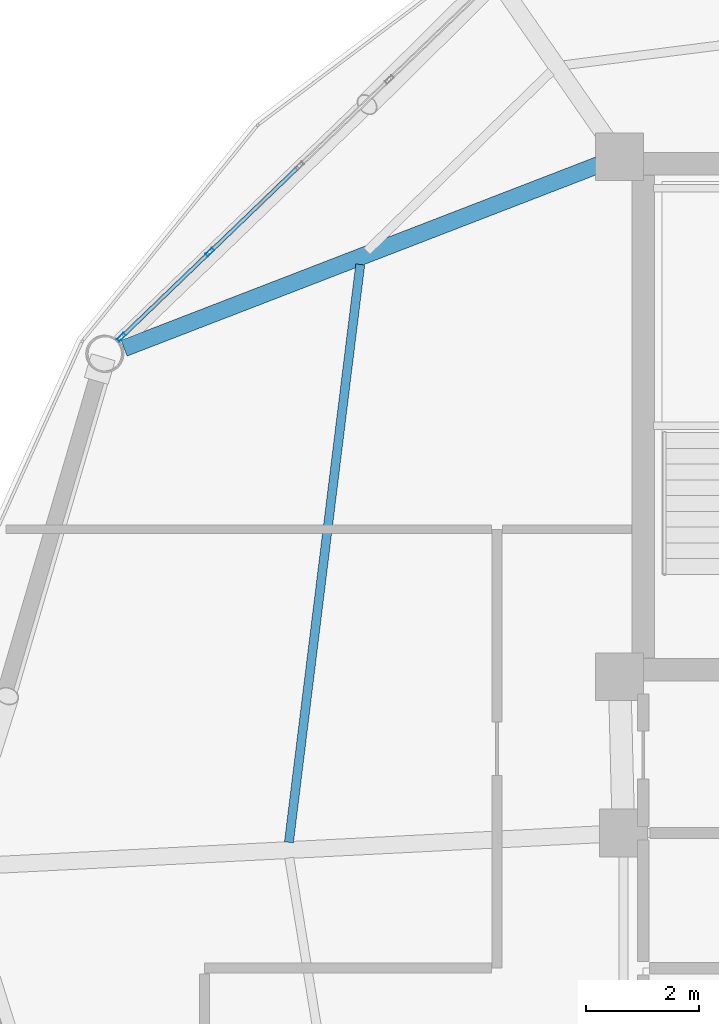
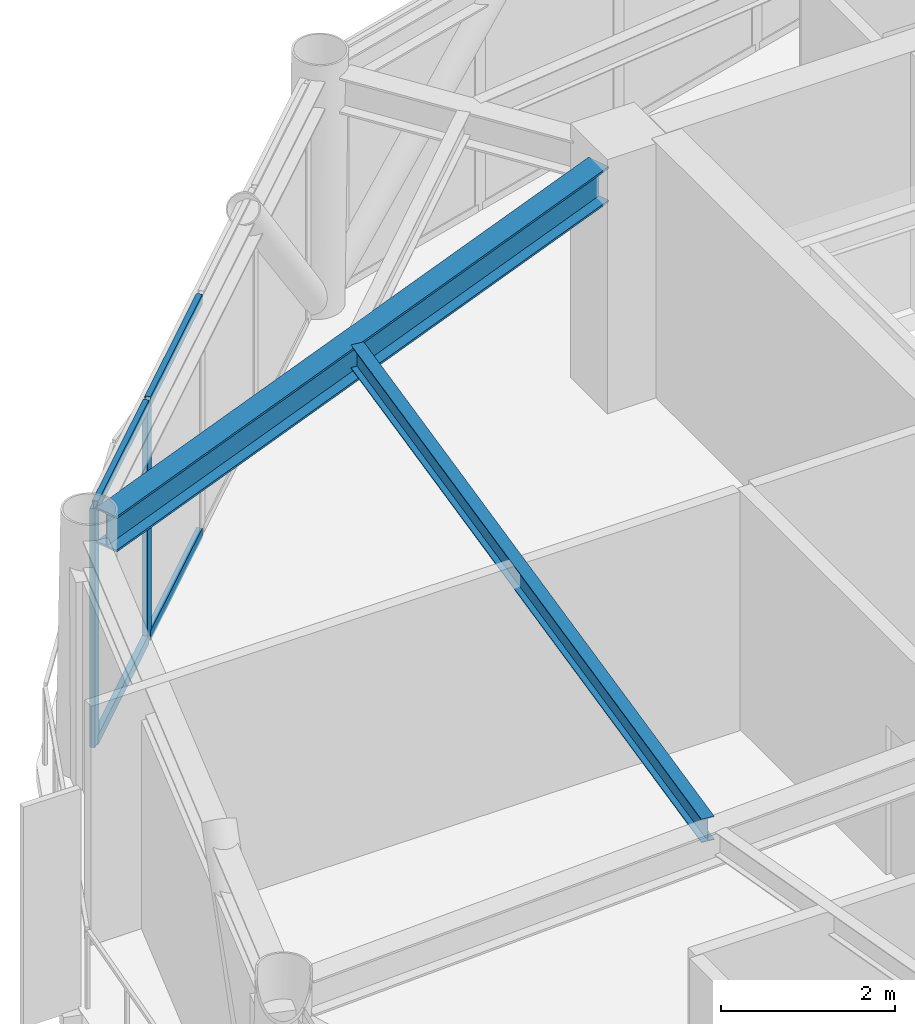
# One storey, part 12 of 28: 6 members, 2 beams, 1 element without a shape of its own.
"""IFC4 building model written with IfcOpenShell, lengths in metres."""

from ifc_helpers import new_model, si_unit, direction, frame, origin, origin_2d, place, context, subcontext, project, spatial, hollow_rectangle, i_section, extrude, material, layer, layer_set, material_profile, profile_set, type_object, element, aggregate, save


model = new_model("IFC4")

# Units and contexts
model_context = context("Model", 3, precision=1e-05, world=origin(), true_north=direction((0.0, 1.0)))
body_context = subcontext(model_context, "Body", "Model", "MODEL_VIEW")
ifc_project = project(units=[si_unit("LENGTHUNIT", "METRE"), si_unit("AREAUNIT", "SQUARE_METRE"), si_unit("VOLUMEUNIT", "CUBIC_METRE"), si_unit("PLANEANGLEUNIT", "RADIAN"), si_unit("MASSUNIT", "GRAM", prefix="KILO")], contexts=[model_context])

# Site, building, storey
site_placement = place(None, origin())
site = spatial("IfcSite", under=ifc_project, at=site_placement, CompositionType="ELEMENT")
building_placement = place(site_placement, origin())
building = spatial("IfcBuilding", under=site, at=building_placement, Name="Varnakorn Sky Granary", CompositionType="ELEMENT")
storey_placement = place(building_placement, frame((0.0, 0.0, 214.800048828125)))
storey = spatial("IfcBuildingStorey", under=building, at=storey_placement, Name="L54", CompositionType="ELEMENT", Elevation=214.800048828125)

# Beams
ifc_material_1 = material(Name="Steel S355JR", Category="steel")
ifc_material_profile_1 = material_profile(ifc_material_1, i_section(OverallWidth=0.300048828125, OverallDepth=0.5, WebThickness=0.014404296875, FlangeThickness=0.028076171875, at=origin_2d()), Name="HE 500 B")
ifc_profile_set_1 = profile_set([ifc_material_profile_1], Name="Steel S355JR")
beam_type_1 = type_object("IfcBeamType", Name="BM-RAD-Z4", PredefinedType="BEAM", material=ifc_profile_set_1)
beam_1_placement = place(storey_placement, frame((-2.7978515625, 12.47412109375, 3.10986328125), z_axis=(-0.93280412148, -0.360383782862, 0.0), x_axis=(0.360383782862, -0.93280412148, 0.0)))
element("IfcBeam", 1, at=beam_1_placement, inside=storey, type_object=beam_type_1, Name="Radial Floor Girder RG06 L54", PredefinedType="BEAM", context=body_context, shape_type="SweptSolid", body=[
    extrude(i_section(OverallWidth=0.300048828125, OverallDepth=0.5, WebThickness=0.014404296875, FlangeThickness=0.028076171875, at=origin_2d()), origin(), (0.0, 0.0, 1.0), 9.03515625),
])
ifc_material_profile_2 = material_profile(ifc_material_1, i_section(OverallWidth=0.159912109375, OverallDepth=0.330078125, WebThickness=0.007568359375, FlangeThickness=0.011474609375, at=origin_2d()), Name="IPE 330")
ifc_profile_set_2 = profile_set([ifc_material_profile_2], Name="Steel S355JR")
beam_type_2 = type_object("IfcBeamType", Name="BM-SEC-Z4", PredefinedType="BEAM", material=ifc_profile_set_2)
beam_2_placement = place(storey_placement, frame((-7.02880859375, 10.70703125, 3.195068359375), z_axis=(-0.122489850371, -0.992469766066, 0.0), x_axis=(0.992469766066, -0.122489850371, 0.0)))
element("IfcBeam", 2, at=beam_2_placement, inside=storey, type_object=beam_type_2, Name="Secondary Floor Chord Beam MSB06 L54", PredefinedType="BEAM", context=body_context, shape_type="SweptSolid", body=[
    extrude(i_section(OverallWidth=0.159912109375, OverallDepth=0.330078125, WebThickness=0.007568359375, FlangeThickness=0.011474609375, at=origin_2d()), origin(), (0.0, 0.0, 1.0), 10.348388671875),
])

# Curtain wall, members
ifc_material_2 = material(Name="Anodised Bronze Aluminium Alloy 6063-T6", Category="aluminium")
ifc_layer = layer(ifc_material_2, 0.169921875, Name="Anodised Bronze Aluminium Alloy 6063-T6")
ifc_layer_set = layer_set([ifc_layer], Name="Anodised Bronze Aluminium Alloy 6063-T6")
curtain_wall_type = type_object("IfcCurtainWallType", Name="CW-LAB-1", PredefinedType="USERDEFINED", material=ifc_layer_set)
curtain_wall_placement = place(storey_placement, origin())
curtain_wall = element("IfcCurtainWall", 3, at=curtain_wall_placement, inside=storey, type_object=curtain_wall_type, Name="Unitised Curtain Wall CW5 CW-L54-B05", ObjectType="CURTAIN WALL", PredefinedType="USERDEFINED")
ifc_material_profile_3 = material_profile(ifc_material_2, hollow_rectangle(XDim=0.06494140625, YDim=0.159912109375, WallThickness=0.00341796875, at=origin_2d()), Name="ALU MULL 65x160")
ifc_profile_set_3 = profile_set([ifc_material_profile_3], Name="Anodised Bronze Aluminium Alloy 6063-T6")
member_type_1 = type_object("IfcMemberType", Name="CW-LAB-1-MULL", PredefinedType="MULLION", material=ifc_profile_set_3)
member_1_placement = place(storey_placement, frame((-11.27392578125, 9.413818359375, 0.0), z_axis=(0.0, 0.0, 1.0), x_axis=(-0.693140093091, 0.72080289355, 0.0)))
member_1 = element("IfcMember", 4, at=member_1_placement, type_object=member_type_1, Name="CW5 mullion 1", PredefinedType="MULLION", context=body_context, shape_type="SweptSolid", body=[
    extrude(hollow_rectangle(XDim=0.06494140625, YDim=0.159912109375, WallThickness=0.00341796875, at=origin_2d()), origin(), (0.0, 0.0, 1.0), 3.35986328125),
])
member_2_placement = place(storey_placement, frame((-9.7021484375, 10.92529296875, 0.0), z_axis=(0.0, 0.0, 1.0), x_axis=(-0.693140093091, 0.72080289355, 0.0)))
member_2 = element("IfcMember", 5, at=member_2_placement, type_object=member_type_1, Name="CW5 mullion 2", PredefinedType="MULLION", context=body_context, shape_type="SweptSolid", body=[
    extrude(hollow_rectangle(XDim=0.06494140625, YDim=0.159912109375, WallThickness=0.00341796875, at=origin_2d()), origin(), (0.0, 0.0, 1.0), 3.35986328125),
])
ifc_material_profile_4 = material_profile(ifc_material_2, hollow_rectangle(XDim=0.070068359375, YDim=0.139892578125, WallThickness=0.00341796875, at=origin_2d()), Name="ALU TRAN 70x140")
ifc_profile_set_4 = profile_set([ifc_material_profile_4], Name="Anodised Bronze Aluminium Alloy 6063-T6")
member_type_2 = type_object("IfcMemberType", Name="CW-LAB-1-TRAN", PredefinedType="USERDEFINED", material=ifc_profile_set_4)
member_3_placement = place(storey_placement, frame((-11.25048828125, 9.436279296875, 0.034912109375), z_axis=(0.720762102914, 0.693182509158, 0.0), x_axis=(-0.693182509158, 0.720762102914, 0.0)))
member_3 = element("IfcMember", 6, at=member_3_placement, type_object=member_type_2, Name="CW5 transom 1.1", ObjectType="TRANSOM", PredefinedType="USERDEFINED", context=body_context, shape_type="SweptSolid", body=[
    extrude(hollow_rectangle(XDim=0.070068359375, YDim=0.139892578125, WallThickness=0.00341796875, at=origin_2d()), origin(), (0.0, 0.0, 1.0), 2.11572265625),
])
member_4_placement = place(storey_placement, frame((-11.25048828125, 9.436279296875, 3.324951171875), z_axis=(0.720762102914, 0.693182509158, 0.0), x_axis=(-0.693182509158, 0.720762102914, 0.0)))
member_4 = element("IfcMember", 7, at=member_4_placement, type_object=member_type_2, Name="CW5 transom 1.2", ObjectType="TRANSOM", PredefinedType="USERDEFINED", context=body_context, shape_type="SweptSolid", body=[
    extrude(hollow_rectangle(XDim=0.070068359375, YDim=0.139892578125, WallThickness=0.00341796875, at=origin_2d()), origin(), (0.0, 0.0, 1.0), 2.11572265625),
])
member_5_placement = place(storey_placement, frame((-9.6787109375, 10.947998046875, 0.034912109375), z_axis=(0.720835248654, 0.693106445143, 0.0), x_axis=(-0.693106445143, 0.720835248654, 0.0)))
member_5 = element("IfcMember", 8, at=member_5_placement, type_object=member_type_2, Name="CW5 transom 2.1", ObjectType="TRANSOM", PredefinedType="USERDEFINED", context=body_context, shape_type="SweptSolid", body=[
    extrude(hollow_rectangle(XDim=0.070068359375, YDim=0.139892578125, WallThickness=0.00341796875, at=origin_2d()), origin(), (0.0, 0.0, 1.0), 2.1484375),
])
member_6_placement = place(storey_placement, frame((-9.6787109375, 10.947998046875, 3.324951171875), z_axis=(0.720835248654, 0.693106445143, 0.0), x_axis=(-0.693106445143, 0.720835248654, 0.0)))
member_6 = element("IfcMember", 9, at=member_6_placement, type_object=member_type_2, Name="CW5 transom 2.2", ObjectType="TRANSOM", PredefinedType="USERDEFINED", context=body_context, shape_type="SweptSolid", body=[
    extrude(hollow_rectangle(XDim=0.070068359375, YDim=0.139892578125, WallThickness=0.00341796875, at=origin_2d()), origin(), (0.0, 0.0, 1.0), 2.1484375),
])
aggregate(curtain_wall, [member_1, member_2, member_3, member_4, member_5, member_6])

save(model, "model.ifc")
